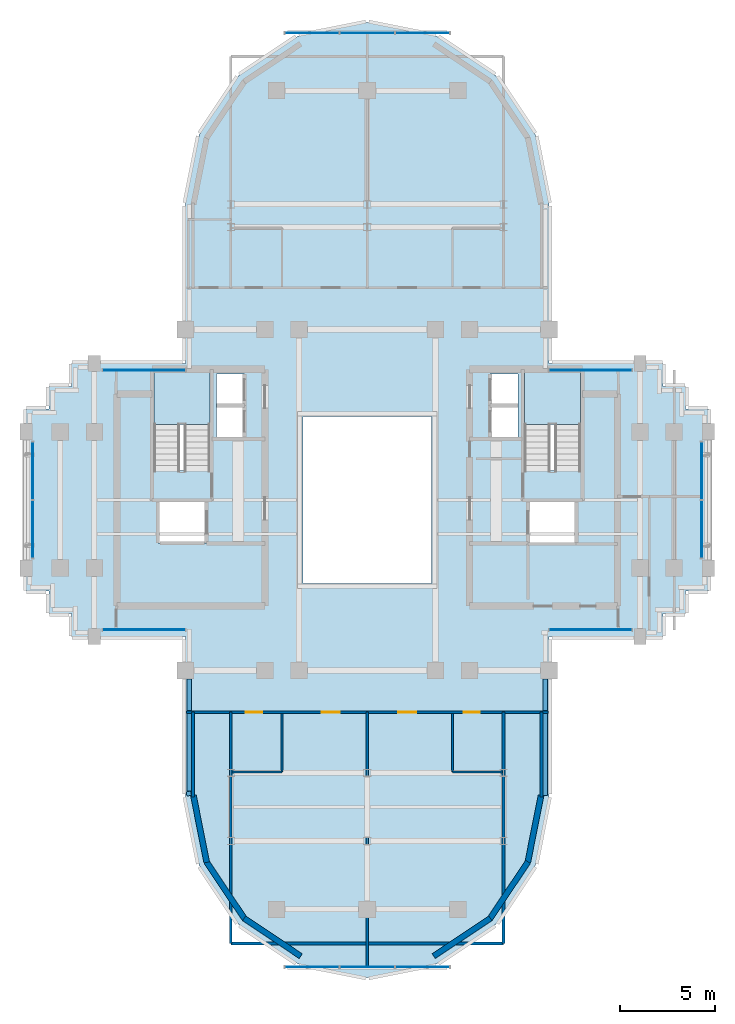
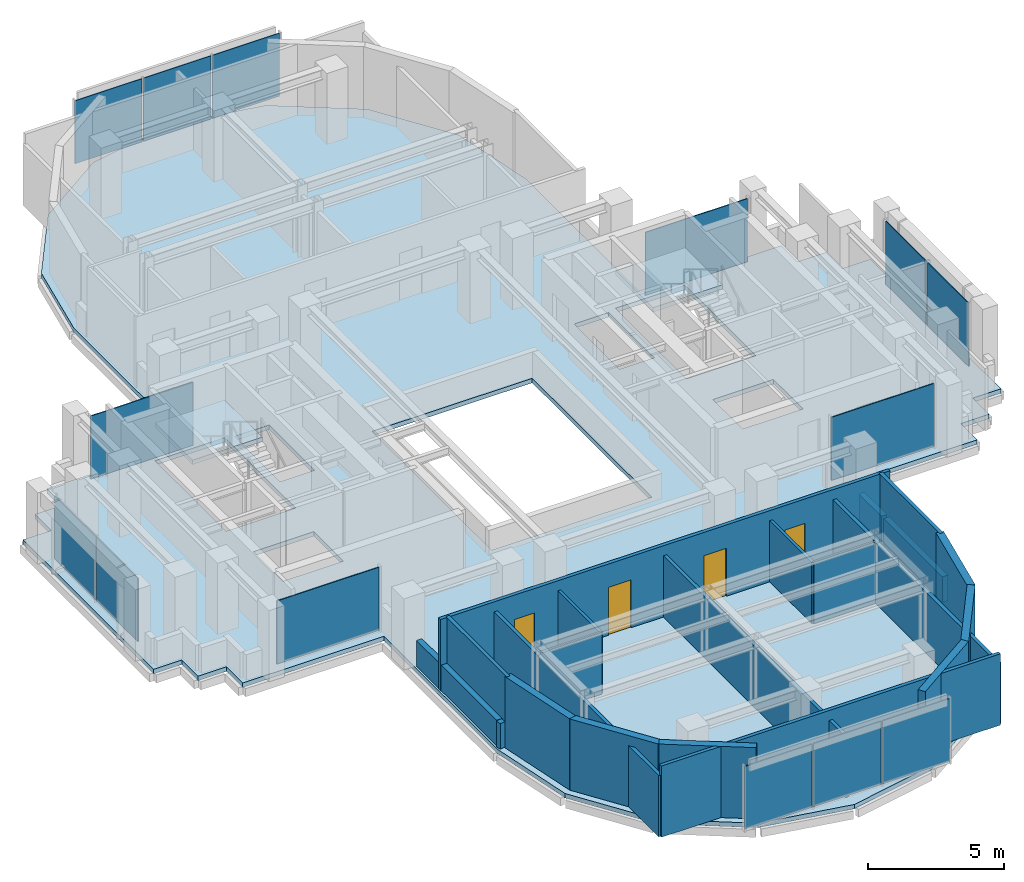
# One storey, part 5 of 11: 22 walls, 14 plates, 4 doors, 3 slabs, 4 openings, 10 elements without a shape of their own.
"""IFC4 building model written with IfcOpenShell, lengths in metres."""

from ifc_helpers import new_model, si_unit, direction, frame, frame_2d, origin, origin_2d, place, context, subcontext, project, spatial, polyline, rectangle, outline, extrude, source, transform, mapped, material, layer, layer_set, type_object, element, fill, aggregate, save


model = new_model("IFC4")

# Units and contexts
model_context = context("Model", 3, precision=1e-05, world=origin(), true_north=direction((0.0, 1.0)))
body_context = subcontext(model_context, "Body", "Model", "MODEL_VIEW")
ifc_project = project(units=[si_unit("LENGTHUNIT", "METRE"), si_unit("AREAUNIT", "SQUARE_METRE"), si_unit("VOLUMEUNIT", "CUBIC_METRE"), si_unit("PLANEANGLEUNIT", "RADIAN"), si_unit("MASSUNIT", "GRAM", prefix="KILO")], contexts=[model_context])

# Site, building, storey
site_placement = place(None, origin())
site = spatial("IfcSite", under=ifc_project, at=site_placement, CompositionType="ELEMENT")
building_placement = place(site_placement, origin())
building = spatial("IfcBuilding", under=site, at=building_placement, Name="Keilestroom Media Tower", CompositionType="ELEMENT")
storey_placement = place(building_placement, frame((0.0, 0.0, 197.800048828125)))
storey = spatial("IfcBuildingStorey", under=building, at=storey_placement, Name="L54", CompositionType="ELEMENT", Elevation=197.800048828125)

# Slab
ifc_material_1 = material(Name="Concrete C50/60", Category="concrete")
ifc_layer_1 = layer(ifc_material_1, 0.199951171875)
ifc_layer_set_1 = layer_set([ifc_layer_1], Name="Concrete C50/60")
slab_type_1 = type_object("IfcSlabType", Name="Composite-Floor-Slab-200", PredefinedType="FLOOR", material=ifc_layer_set_1)
slab_1_placement = place(storey_placement, frame((0.0, 0.0, -0.199951171875)))
element("IfcSlab", 1, at=slab_1_placement, inside=storey, type_object=slab_type_1, Name="L54 Structural Composite Floor Slab", PredefinedType="FLOOR", context=body_context, shape_type="SweptSolid", body=[
    extrude(outline(polyline([(18.0, -4.800048828125), (18.0, 4.800048828125), (16.800048828125, 4.800048828125), (16.800048828125, 6.0), (15.60009765625, 6.0), (15.60009765625, 7.199951171875), (9.60009765625, 7.199951171875), (9.60009765625, 9.60009765625), (9.60009765625, 15.60009765625), (8.869140625, 19.273681640625), (6.7880859375, 22.38818359375), (3.673828125, 24.46923828125), (0.0, 25.199951171875), (-3.673828125, 24.46923828125), (-6.7880859375, 22.38818359375), (-8.869140625, 19.273681640625), (-9.60009765625, 15.60009765625), (-9.60009765625, 9.60009765625), (-9.60009765625, 7.199951171875), (-15.60009765625, 7.199951171875), (-15.60009765625, 6.0), (-16.800048828125, 6.0), (-16.800048828125, 4.800048828125), (-18.0, 4.800048828125), (-18.0, -4.800048828125), (-16.800048828125, -4.800048828125), (-16.800048828125, -6.0), (-15.60009765625, -6.0), (-15.60009765625, -7.199951171875), (-9.60009765625, -7.199951171875), (-9.60009765625, -9.60009765625), (-9.60009765625, -15.60009765625), (-8.869140625, -19.273681640625), (-6.7880859375, -22.38818359375), (-3.673828125, -24.46923828125), (0.0, -25.199951171875), (3.673828125, -24.46923828125), (6.7880859375, -22.38818359375), (8.869140625, -19.273681640625), (9.60009765625, -15.60009765625), (9.60009765625, -9.60009765625), (9.60009765625, -7.199951171875), (15.60009765625, -7.199951171875), (15.60009765625, -6.0), (16.800048828125, -6.0), (16.800048828125, -4.800048828125), (18.0, -4.800048828125)]), holes=[polyline([(-8.300048828125, 1.544921875), (-11.260009765625, 1.544921875), (-11.260009765625, 6.760009765625), (-8.300048828125, 6.760009765625), (-8.300048828125, 1.544921875)]), polyline([(-8.47998046875, -2.280029296875), (-11.050048828125, -2.280029296875), (-11.050048828125, -0.10009765625), (-8.47998046875, -0.10009765625), (-8.47998046875, -2.280029296875)]), polyline([(-6.47998046875, 3.300048828125), (-7.949951171875, 3.300048828125), (-7.949951171875, 6.64990234375), (-6.47998046875, 6.64990234375), (-6.47998046875, 3.300048828125)]), polyline([(3.39990234375, -4.39990234375), (-3.39990234375, -4.39990234375), (-3.39990234375, 4.39990234375), (3.39990234375, 4.39990234375), (3.39990234375, -4.39990234375)]), polyline([(7.949951171875, 3.300048828125), (6.47998046875, 3.300048828125), (6.47998046875, 6.64990234375), (7.949951171875, 6.64990234375), (7.949951171875, 3.300048828125)]), polyline([(11.260009765625, 1.544921875), (8.300048828125, 1.544921875), (8.300048828125, 6.760009765625), (11.260009765625, 6.760009765625), (11.260009765625, 1.544921875)]), polyline([(11.050048828125, -2.280029296875), (8.47998046875, -2.280029296875), (8.47998046875, -0.10009765625), (11.050048828125, -0.10009765625), (11.050048828125, -2.280029296875)])]), origin(), (0.0, 0.0, 1.0), 0.199951171875),
])

# Stair, slab
ifc_material_2 = material(Name="Concrete C45/55", Category="concrete")
stair_type = type_object("IfcStairType", Name="Enclosed-Dog-Leg-Stair-ST-CORE", PredefinedType="HALF_TURN_STAIR", material=ifc_material_2)
stair_1_placement = place(storey_placement, origin())
stair_1 = element("IfcStair", 2, at=stair_1_placement, inside=storey, type_object=stair_type, Name="L54 West Core Escape Stair ST-1", PredefinedType="HALF_TURN_STAIR")
ifc_layer_2 = layer(ifc_material_2, 0.199951171875)
ifc_layer_set_2 = layer_set([ifc_layer_2], Name="Concrete C45/55")
slab_type_2 = type_object("IfcSlabType", Name="Stair-Intermediate-And-Top-Landing-Slab-200", PredefinedType="LANDING", material=ifc_layer_set_2)
slab_2_placement = place(storey_placement, frame((0.0, 0.0, 1.5)))
slab_2 = element("IfcSlab", 3, at=slab_2_placement, type_object=slab_type_2, Name="ST-1 landing 1", PredefinedType="LANDING", context=body_context, shape_type="SweptSolid", body=[
    extrude(outline(polyline([(-8.300048828125, 3.99609375), (-8.300048828125, 6.760009765625), (-11.260009765625, 6.760009765625), (-11.260009765625, 3.99609375), (-8.300048828125, 3.99609375)])), origin(), (0.0, 0.0, 1.0), 0.199951171875),
])
aggregate(stair_1, [slab_2])

stair_2_placement = place(storey_placement, origin())
stair_2 = element("IfcStair", 4, at=stair_2_placement, inside=storey, type_object=stair_type, Name="L54 East Core Escape Stair ST-2", PredefinedType="HALF_TURN_STAIR")
slab_3_placement = place(storey_placement, frame((0.0, 0.0, 1.5)))
slab_3 = element("IfcSlab", 5, at=slab_3_placement, type_object=slab_type_2, Name="ST-2 landing 1", PredefinedType="LANDING", context=body_context, shape_type="SweptSolid", body=[
    extrude(outline(polyline([(11.260009765625, 3.99609375), (11.260009765625, 6.760009765625), (8.300048828125, 6.760009765625), (8.300048828125, 3.99609375), (11.260009765625, 3.99609375)])), origin(), (0.0, 0.0, 1.0), 0.199951171875),
])
aggregate(stair_2, [slab_3])

# Curtain wall, plates
ifc_material_3 = material(Name="Anodised Aluminium Alloy", Category="aluminium")
curtain_wall_type_1 = type_object("IfcCurtainWallType", Name="Unitised-Curtain-Wall-CW-6", PredefinedType="NOTDEFINED", material=ifc_material_3)
curtain_wall_1_placement = place(storey_placement, origin())
curtain_wall_1 = element("IfcCurtainWall", 6, at=curtain_wall_1_placement, inside=storey, type_object=curtain_wall_type_1, Name="L54 Curtain Wall CW-6 CW-L54-LN-1", PredefinedType="NOTDEFINED")
ifc_material_4 = material(Name="Curved-Facet Triple Glazed Unit", Category="glass")
ifc_layer_3 = layer(ifc_material_4, 0.033935546875)
ifc_layer_set_3 = layer_set([ifc_layer_3], Name="Curved-Facet Triple Glazed Unit")
plate_type_1 = type_object("IfcPlateType", Name="Insulated-Curtain-Wall-Glazing-Panel-CW-6", PredefinedType="CURTAIN_PANEL", material=ifc_layer_set_3)
shared_shape_1 = source(origin(), body_context, "Body", "SweptSolid", [
    extrude(rectangle(XDim=2.84375, YDim=0.033935546875, at=origin_2d()), origin(), (0.0, 0.0, 1.0), 2.833984375),
])
plate_1_placement = place(storey_placement, frame((-2.9169921875, 24.64990234375, 0.072998046875), z_axis=(0.0, 0.0, 1.0), x_axis=(1.0, 0.0, 0.0)))
plate_1 = element("IfcPlate", 7, at=plate_1_placement, type_object=plate_type_1, Name="CW-6 Unitised Glazing 00", PredefinedType="CURTAIN_PANEL", context=body_context, shape_type="MappedRepresentation", body=[
    mapped(shared_shape_1, transform((0.0, 0.0, 0.0), x_axis=(1.0, 0.0, 0.0), y_axis=(0.0, 1.0, 0.0), z_axis=(0.0, 0.0, 1.0), scale=1.0)),
])
plate_2_placement = place(storey_placement, frame((2.9169921875, 24.64990234375, 0.072998046875), z_axis=(0.0, 0.0, 1.0), x_axis=(1.0, 0.0, 0.0)))
plate_2 = element("IfcPlate", 8, at=plate_2_placement, type_object=plate_type_1, Name="CW-6 Unitised Glazing 02", PredefinedType="CURTAIN_PANEL", context=body_context, shape_type="MappedRepresentation", body=[
    mapped(shared_shape_1, transform((0.0, 0.0, 0.0), x_axis=(1.0, 0.0, 0.0), y_axis=(0.0, 1.0, 0.0), z_axis=(0.0, 0.0, 1.0), scale=1.0)),
])

curtain_wall_2_placement = place(storey_placement, origin())
curtain_wall_2 = element("IfcCurtainWall", 9, at=curtain_wall_2_placement, inside=storey, type_object=curtain_wall_type_1, Name="L54 Curtain Wall CW-6 CW-L54-LS-1", PredefinedType="NOTDEFINED")
plate_3_placement = place(storey_placement, frame((-2.9169921875, -24.64990234375, 0.072998046875), z_axis=(0.0, 0.0, 1.0), x_axis=(1.0, 0.0, 0.0)))
plate_3 = element("IfcPlate", 10, at=plate_3_placement, type_object=plate_type_1, Name="CW-6 Unitised Glazing 00", PredefinedType="CURTAIN_PANEL", context=body_context, shape_type="MappedRepresentation", body=[
    mapped(shared_shape_1, transform((0.0, 0.0, 0.0), x_axis=(1.0, 0.0, 0.0), y_axis=(0.0, 1.0, 0.0), z_axis=(0.0, 0.0, 1.0), scale=1.0)),
])
plate_4_placement = place(storey_placement, frame((2.9169921875, -24.64990234375, 0.072998046875), z_axis=(0.0, 0.0, 1.0), x_axis=(1.0, 0.0, 0.0)))
plate_4 = element("IfcPlate", 11, at=plate_4_placement, type_object=plate_type_1, Name="CW-6 Unitised Glazing 02", PredefinedType="CURTAIN_PANEL", context=body_context, shape_type="MappedRepresentation", body=[
    mapped(shared_shape_1, transform((0.0, 0.0, 0.0), x_axis=(1.0, 0.0, 0.0), y_axis=(0.0, 1.0, 0.0), z_axis=(0.0, 0.0, 1.0), scale=1.0)),
])

# Plate
shared_shape_2 = source(origin(), body_context, "Body", "SweptSolid", [
    extrude(rectangle(XDim=2.876220703125, YDim=0.033935546875, at=origin_2d()), origin(), (0.0, 0.0, 1.0), 2.833984375),
])
plate_5_placement = place(storey_placement, frame((0.0, 24.64990234375, 0.072998046875), z_axis=(0.0, 0.0, 1.0), x_axis=(1.0, 0.0, 0.0)))
plate_5 = element("IfcPlate", 12, at=plate_5_placement, type_object=plate_type_1, Name="CW-6 Unitised Glazing 01", PredefinedType="CURTAIN_PANEL", context=body_context, shape_type="MappedRepresentation", body=[
    mapped(shared_shape_2, transform((0.0, 0.0, 0.0), x_axis=(1.0, 0.0, 0.0), y_axis=(0.0, 1.0, 0.0), z_axis=(0.0, 0.0, 1.0), scale=1.0)),
])

aggregate(curtain_wall_1, [plate_1, plate_5, plate_2])

plate_6_placement = place(storey_placement, frame((0.0, -24.64990234375, 0.072998046875), z_axis=(0.0, 0.0, 1.0), x_axis=(1.0, 0.0, 0.0)))
plate_6 = element("IfcPlate", 13, at=plate_6_placement, type_object=plate_type_1, Name="CW-6 Unitised Glazing 01", PredefinedType="CURTAIN_PANEL", context=body_context, shape_type="MappedRepresentation", body=[
    mapped(shared_shape_2, transform((0.0, 0.0, 0.0), x_axis=(1.0, 0.0, 0.0), y_axis=(0.0, 1.0, 0.0), z_axis=(0.0, 0.0, 1.0), scale=1.0)),
])

aggregate(curtain_wall_2, [plate_3, plate_6, plate_4])

# Curtain wall, plate
curtain_wall_type_2 = type_object("IfcCurtainWallType", Name="Unitised-Curtain-Wall-CW-3", PredefinedType="NOTDEFINED", material=ifc_material_3)
curtain_wall_3_placement = place(storey_placement, origin())
curtain_wall_3 = element("IfcCurtainWall", 14, at=curtain_wall_3_placement, inside=storey, type_object=curtain_wall_type_2, Name="L54 Curtain Wall CW-3 CW-L54-NW-1", PredefinedType="NOTDEFINED")
ifc_material_5 = material(Name="Triple Glazed Acoustic Low-E Unit", Category="glass")
ifc_layer_4 = layer(ifc_material_5, 0.0380859375)
ifc_layer_set_4 = layer_set([ifc_layer_4], Name="Triple Glazed Acoustic Low-E Unit")
plate_type_2 = type_object("IfcPlateType", Name="Insulated-Curtain-Wall-Glazing-Panel-CW-3", PredefinedType="CURTAIN_PANEL", material=ifc_layer_set_4)
shared_shape_3 = source(origin(), body_context, "Body", "SweptSolid", [
    extrude(rectangle(XDim=4.343017578125, YDim=0.0380859375, at=origin_2d()), origin(), (0.0, 0.0, 1.0), 2.833984375),
])
plate_7_placement = place(storey_placement, frame((-11.782470703125, 6.85009765625, 0.072998046875), z_axis=(0.0, 0.0, 1.0), x_axis=(1.0, 0.0, 0.0)))
plate_7 = element("IfcPlate", 15, at=plate_7_placement, type_object=plate_type_2, Name="CW-3 Unitised Glazing 00", PredefinedType="CURTAIN_PANEL", context=body_context, shape_type="MappedRepresentation", body=[
    mapped(shared_shape_3, transform((0.0, 0.0, 0.0), x_axis=(1.0, 0.0, 0.0), y_axis=(0.0, 1.0, 0.0), z_axis=(0.0, 0.0, 1.0), scale=1.0)),
])
aggregate(curtain_wall_3, [plate_7])

curtain_wall_4_placement = place(storey_placement, origin())
curtain_wall_4 = element("IfcCurtainWall", 16, at=curtain_wall_4_placement, inside=storey, type_object=curtain_wall_type_2, Name="L54 Curtain Wall CW-3 CW-L54-NE-1", PredefinedType="NOTDEFINED")
plate_8_placement = place(storey_placement, frame((11.782470703125, 6.85009765625, 0.072998046875), z_axis=(0.0, 0.0, 1.0), x_axis=(1.0, 0.0, 0.0)))
plate_8 = element("IfcPlate", 17, at=plate_8_placement, type_object=plate_type_2, Name="CW-3 Unitised Glazing 00", PredefinedType="CURTAIN_PANEL", context=body_context, shape_type="MappedRepresentation", body=[
    mapped(shared_shape_3, transform((0.0, 0.0, 0.0), x_axis=(1.0, 0.0, 0.0), y_axis=(0.0, 1.0, 0.0), z_axis=(0.0, 0.0, 1.0), scale=1.0)),
])
aggregate(curtain_wall_4, [plate_8])

curtain_wall_5_placement = place(storey_placement, origin())
curtain_wall_5 = element("IfcCurtainWall", 18, at=curtain_wall_5_placement, inside=storey, type_object=curtain_wall_type_2, Name="L54 Curtain Wall CW-3 CW-L54-SW-1", PredefinedType="NOTDEFINED")
plate_9_placement = place(storey_placement, frame((-11.782470703125, -6.85009765625, 0.072998046875), z_axis=(0.0, 0.0, 1.0), x_axis=(1.0, 0.0, 0.0)))
plate_9 = element("IfcPlate", 19, at=plate_9_placement, type_object=plate_type_2, Name="CW-3 Unitised Glazing 00", PredefinedType="CURTAIN_PANEL", context=body_context, shape_type="MappedRepresentation", body=[
    mapped(shared_shape_3, transform((0.0, 0.0, 0.0), x_axis=(1.0, 0.0, 0.0), y_axis=(0.0, 1.0, 0.0), z_axis=(0.0, 0.0, 1.0), scale=1.0)),
])
aggregate(curtain_wall_5, [plate_9])

curtain_wall_6_placement = place(storey_placement, origin())
curtain_wall_6 = element("IfcCurtainWall", 20, at=curtain_wall_6_placement, inside=storey, type_object=curtain_wall_type_2, Name="L54 Curtain Wall CW-3 CW-L54-SE-1", PredefinedType="NOTDEFINED")
plate_10_placement = place(storey_placement, frame((11.782470703125, -6.85009765625, 0.072998046875), z_axis=(0.0, 0.0, 1.0), x_axis=(1.0, 0.0, 0.0)))
plate_10 = element("IfcPlate", 21, at=plate_10_placement, type_object=plate_type_2, Name="CW-3 Unitised Glazing 00", PredefinedType="CURTAIN_PANEL", context=body_context, shape_type="MappedRepresentation", body=[
    mapped(shared_shape_3, transform((0.0, 0.0, 0.0), x_axis=(1.0, 0.0, 0.0), y_axis=(0.0, 1.0, 0.0), z_axis=(0.0, 0.0, 1.0), scale=1.0)),
])
aggregate(curtain_wall_6, [plate_10])

# Curtain wall, plates
curtain_wall_7_placement = place(storey_placement, origin())
curtain_wall_7 = element("IfcCurtainWall", 22, at=curtain_wall_7_placement, inside=storey, type_object=curtain_wall_type_2, Name="L54 Curtain Wall CW-3 CW-L54-W-1", PredefinedType="NOTDEFINED")
shared_shape_4 = source(origin(), body_context, "Body", "SweptSolid", [
    extrude(rectangle(XDim=3.025390625, YDim=0.0380859375, at=origin_2d()), origin(), (0.0, 0.0, 1.0), 2.833984375),
])
plate_11_placement = place(storey_placement, frame((-17.64990234375, -1.541259765625, 0.072998046875), z_axis=(0.0, 0.0, 1.0), x_axis=(0.0, 1.0, 0.0)))
plate_11 = element("IfcPlate", 23, at=plate_11_placement, type_object=plate_type_2, Name="CW-3 Unitised Glazing 00", PredefinedType="CURTAIN_PANEL", context=body_context, shape_type="MappedRepresentation", body=[
    mapped(shared_shape_4, transform((0.0, 0.0, 0.0), x_axis=(1.0, 0.0, 0.0), y_axis=(0.0, 1.0, 0.0), z_axis=(0.0, 0.0, 1.0), scale=1.0)),
])
plate_12_placement = place(storey_placement, frame((-17.64990234375, 1.541259765625, 0.072998046875), z_axis=(0.0, 0.0, 1.0), x_axis=(0.0, 1.0, 0.0)))
plate_12 = element("IfcPlate", 24, at=plate_12_placement, type_object=plate_type_2, Name="CW-3 Unitised Glazing 01", PredefinedType="CURTAIN_PANEL", context=body_context, shape_type="MappedRepresentation", body=[
    mapped(shared_shape_4, transform((0.0, 0.0, 0.0), x_axis=(1.0, 0.0, 0.0), y_axis=(0.0, 1.0, 0.0), z_axis=(0.0, 0.0, 1.0), scale=1.0)),
])
aggregate(curtain_wall_7, [plate_11, plate_12])

curtain_wall_8_placement = place(storey_placement, origin())
curtain_wall_8 = element("IfcCurtainWall", 25, at=curtain_wall_8_placement, inside=storey, type_object=curtain_wall_type_2, Name="L54 Curtain Wall CW-3 CW-L54-E-1", PredefinedType="NOTDEFINED")
plate_13_placement = place(storey_placement, frame((17.64990234375, -1.541259765625, 0.072998046875), z_axis=(0.0, 0.0, 1.0), x_axis=(0.0, 1.0, 0.0)))
plate_13 = element("IfcPlate", 26, at=plate_13_placement, type_object=plate_type_2, Name="CW-3 Unitised Glazing 00", PredefinedType="CURTAIN_PANEL", context=body_context, shape_type="MappedRepresentation", body=[
    mapped(shared_shape_4, transform((0.0, 0.0, 0.0), x_axis=(1.0, 0.0, 0.0), y_axis=(0.0, 1.0, 0.0), z_axis=(0.0, 0.0, 1.0), scale=1.0)),
])
plate_14_placement = place(storey_placement, frame((17.64990234375, 1.541259765625, 0.072998046875), z_axis=(0.0, 0.0, 1.0), x_axis=(0.0, 1.0, 0.0)))
plate_14 = element("IfcPlate", 27, at=plate_14_placement, type_object=plate_type_2, Name="CW-3 Unitised Glazing 01", PredefinedType="CURTAIN_PANEL", context=body_context, shape_type="MappedRepresentation", body=[
    mapped(shared_shape_4, transform((0.0, 0.0, 0.0), x_axis=(1.0, 0.0, 0.0), y_axis=(0.0, 1.0, 0.0), z_axis=(0.0, 0.0, 1.0), scale=1.0)),
])
aggregate(curtain_wall_8, [plate_13, plate_14])

# Walls
ifc_material_6 = material(Name="Precast concrete C40/50", Category="concrete")
ifc_layer_5 = layer(ifc_material_6, 0.300048828125)
ifc_layer_set_5 = layer_set([ifc_layer_5], Name="Precast concrete C40/50")
wall_type_1 = type_object("IfcWallType", Name="Exterior-Masonry-Spandrel-Wall-300", PredefinedType="SOLIDWALL", material=ifc_layer_set_5)
for number, where, z_axis, x_axis, name in (
    (28, (-9.1748046875, -15.585205078125, 0.0), (0.0, 0.0, 1.0), (0.195114232679, -0.980780523974, 0.0), "L54 Lobe Facet Precast Frame Wall 07"),
    (29, (-8.48193359375, -19.097412109375, 0.0), (0.0, 0.0, 1.0), (0.555574187116, -0.831466970246, 0.0), "L54 Lobe Facet Precast Frame Wall 08"),
):
    element("IfcWall", number, at=place(storey_placement, frame(where, z_axis=z_axis, x_axis=x_axis)), inside=storey, type_object=wall_type_1, Name=name, PredefinedType="SOLIDWALL", context=body_context, shape_type="SweptSolid", body=[
        extrude(rectangle(XDim=3.608642578125, YDim=0.300048828125, at=frame_2d((1.80419921875, 0.0))), origin(), (0.0, 0.0, 1.0), 3.199951171875),
    ])
for number, where, z_axis, x_axis, name in (
    (30, (-6.497802734375, -22.0771484375, 0.0), (0.0, 0.0, 1.0), (0.8314749531, -0.555562239868, 0.0), "L54 Lobe Facet Precast Frame Wall 09"),
    (31, (3.510009765625, -24.073486328125, 0.0), (0.0, 0.0, 1.0), (0.8314749531, 0.555562239868, 0.0), "L54 Lobe Facet Precast Frame Wall 10"),
):
    element("IfcWall", number, at=place(storey_placement, frame(where, z_axis=z_axis, x_axis=x_axis)), inside=storey, type_object=wall_type_1, Name=name, PredefinedType="SOLIDWALL", context=body_context, shape_type="SweptSolid", body=[
        extrude(rectangle(XDim=3.59326171875, YDim=0.300048828125, at=frame_2d((1.796630859375, 0.0))), origin(), (0.0, 0.0, 1.0), 3.199951171875),
    ])
for number, where, z_axis, x_axis, name in (
    (32, (6.47705078125, -22.097900390625, 0.0), (0.0, 0.0, 1.0), (0.555574187116, 0.831466970246, 0.0), "L54 Lobe Facet Precast Frame Wall 11"),
    (33, (8.470703125, -19.12451171875, 0.0), (0.0, 0.0, 1.0), (0.195114232679, 0.980780523974, 0.0), "L54 Lobe Facet Precast Frame Wall 12"),
):
    element("IfcWall", number, at=place(storey_placement, frame(where, z_axis=z_axis, x_axis=x_axis)), inside=storey, type_object=wall_type_1, Name=name, PredefinedType="SOLIDWALL", context=body_context, shape_type="SweptSolid", body=[
        extrude(rectangle(XDim=3.608642578125, YDim=0.300048828125, at=frame_2d((1.80419921875, 0.0))), origin(), (0.0, 0.0, 1.0), 3.199951171875),
    ])
ifc_material_7 = material(Name="Gypsum Plasterboard & Steel Stud", Category="steel")
ifc_layer_6 = layer(ifc_material_7, 0.1201171875)
ifc_layer_set_6 = layer_set([ifc_layer_6], Name="Gypsum Plasterboard & Steel Stud")
wall_type_2 = type_object("IfcWallType", Name="Interior-Partition-Wall-120", PredefinedType="PARTITIONING", material=ifc_layer_set_6)
wall_1_placement = place(storey_placement, frame((-4.5, -14.360107421875, 0.0), z_axis=(0.0, 0.0, 1.0), x_axis=(0.0, 1.0, 0.0)))
element("IfcWall", 34, at=wall_1_placement, inside=storey, type_object=wall_type_2, Name="L54 Interior Wall WP-L54-ENS307W-SWP", PredefinedType="PARTITIONING", context=body_context, shape_type="SweptSolid", body=[
    extrude(rectangle(XDim=3.10009765625, YDim=0.1201171875, at=frame_2d((1.550048828125, 0.0))), origin(), (0.0, 0.0, 1.0), 2.75),
])
wall_2_placement = place(storey_placement, frame((-7.139892578125, -14.360107421875, 0.0), z_axis=(0.0, 0.0, 1.0), x_axis=(1.0, 0.0, 0.0)))
element("IfcWall", 35, at=wall_2_placement, inside=storey, type_object=wall_type_2, Name="L54 Interior Wall WP-L54-ENS307H-SWP", PredefinedType="PARTITIONING", context=body_context, shape_type="SweptSolid", body=[
    extrude(rectangle(XDim=2.639892578125, YDim=0.1201171875, at=frame_2d((1.31982421875, 0.0))), origin(), (0.0, 0.0, 1.0), 2.75),
])
wall_3_placement = place(storey_placement, frame((4.5, -14.360107421875, 0.0), z_axis=(0.0, 0.0, 1.0), x_axis=(0.0, 1.0, 0.0)))
element("IfcWall", 36, at=wall_3_placement, inside=storey, type_object=wall_type_2, Name="L54 Interior Wall WP-L54-ENS307W-SEP", PredefinedType="PARTITIONING", context=body_context, shape_type="SweptSolid", body=[
    extrude(rectangle(XDim=3.10009765625, YDim=0.1201171875, at=frame_2d((1.550048828125, 0.0))), origin(), (0.0, 0.0, 1.0), 2.75),
])
wall_4_placement = place(storey_placement, frame((4.5, -14.360107421875, 0.0), z_axis=(0.0, 0.0, 1.0), x_axis=(1.0, 0.0, 0.0)))
element("IfcWall", 37, at=wall_4_placement, inside=storey, type_object=wall_type_2, Name="L54 Interior Wall WP-L54-ENS307H-SEP", PredefinedType="PARTITIONING", context=body_context, shape_type="SweptSolid", body=[
    extrude(rectangle(XDim=2.639892578125, YDim=0.1201171875, at=frame_2d((1.31982421875, 0.0))), origin(), (0.0, 0.0, 1.0), 2.75),
])

# Wall, openings, doors
ifc_layer_7 = layer(ifc_material_7, 0.14990234375)
ifc_layer_set_7 = layer_set([ifc_layer_7], Name="Gypsum Plasterboard & Steel Stud")
wall_type_3 = type_object("IfcWallType", Name="Interior-Partition-Wall-150", PredefinedType="PARTITIONING", material=ifc_layer_set_7)
wall_5_placement = place(storey_placement, frame((-9.550048828125, -11.199951171875, 0.0), z_axis=(0.0, 0.0, 1.0), x_axis=(1.0, 0.0, 0.0)))
wall_5 = element("IfcWall", 38, at=wall_5_placement, inside=storey, type_object=wall_type_3, Name="L54 Interior Wall WP-L54-H307-S-BASE", PredefinedType="PARTITIONING", context=body_context, shape_type="SweptSolid", body=[
    extrude(rectangle(XDim=19.10009765625, YDim=0.14990234375, at=frame_2d((9.550048828125, 0.0))), origin(), (0.0, 0.0, 1.0), 3.199951171875),
])
opening_1_placement = place(wall_5_placement, frame((3.14990234375, 0.0, 0.0)))
opening_1 = element("IfcOpeningElement", 39, at=opening_1_placement, cuts=wall_5, Name="Opening DI-05", PredefinedType="OPENING", context=body_context, shape_type="SweptSolid", body=[
    extrude(rectangle(XDim=0.85009765625, YDim=2.10009765625, at=frame_2d((0.425048828125, 1.050048828125))), frame((0.0, 0.0849609375, 0.0), z_axis=(0.0, -1.0, 0.0), x_axis=(1.0, 0.0, 0.0)), (0.0, 0.0, 1.0), 0.169921875),
])
opening_2_placement = place(wall_5_placement, frame((7.14990234375, 0.0, 0.0)))
opening_2 = element("IfcOpeningElement", 40, at=opening_2_placement, cuts=wall_5, Name="Opening DI-03", PredefinedType="OPENING", context=body_context, shape_type="SweptSolid", body=[
    extrude(rectangle(XDim=0.949951171875, YDim=2.14990234375, at=frame_2d((0.47509765625, 1.074951171875))), frame((0.0, 0.0849609375, 0.0), z_axis=(0.0, -1.0, 0.0), x_axis=(1.0, 0.0, 0.0)), (0.0, 0.0, 1.0), 0.169921875),
])
opening_3_placement = place(wall_5_placement, frame((14.64990234375, 0.0, 0.0)))
opening_3 = element("IfcOpeningElement", 41, at=opening_3_placement, cuts=wall_5, Name="Opening DI-05", PredefinedType="OPENING", context=body_context, shape_type="SweptSolid", body=[
    extrude(rectangle(XDim=0.85009765625, YDim=2.10009765625, at=frame_2d((0.425048828125, 1.050048828125))), frame((0.0, 0.0849609375, 0.0), z_axis=(0.0, -1.0, 0.0), x_axis=(1.0, 0.0, 0.0)), (0.0, 0.0, 1.0), 0.169921875),
])
opening_4_placement = place(wall_5_placement, frame((11.199951171875, 0.0, 0.0)))
opening_4 = element("IfcOpeningElement", 42, at=opening_4_placement, cuts=wall_5, Name="Opening DI-03", PredefinedType="OPENING", context=body_context, shape_type="SweptSolid", body=[
    extrude(rectangle(XDim=0.949951171875, YDim=2.14990234375, at=frame_2d((0.47509765625, 1.074951171875))), frame((0.0, 0.0849609375, 0.0), z_axis=(0.0, -1.0, 0.0), x_axis=(1.0, 0.0, 0.0)), (0.0, 0.0, 1.0), 0.169921875),
])
ifc_material_8 = material(Name="Lacquered European Oak Leaf", Category="wood")
door_type_1 = type_object("IfcDoorType", Name="Interior-Room-And-Suite-Door-DI-03", OperationType="NOTDEFINED", PredefinedType="DOOR", material=ifc_material_8)
shared_shape_5 = source(origin(), body_context, "Body", "SweptSolid", [
    extrude(rectangle(XDim=0.949951171875, YDim=2.14990234375, at=frame_2d((0.47509765625, 1.074951171875))), frame((0.0, 0.02490234375, 0.0), z_axis=(0.0, -1.0, 0.0), x_axis=(1.0, 0.0, 0.0)), (0.0, 0.0, 1.0), 0.050048828125),
])
door_1_placement = place(opening_2_placement, origin())
door_1 = element("IfcDoor", 43, at=door_1_placement, inside=storey, type_object=door_type_1, Name="L54 Interior Door DI-L54-DHTL307-SWP", OperationType="SINGLE_SWING_LEFT", OverallHeight=2.14990234375, OverallWidth=0.949951171875, PredefinedType="DOOR", context=body_context, shape_type="MappedRepresentation", body=[
    mapped(shared_shape_5, transform((0.0, 0.0, 0.0), x_axis=(1.0, 0.0, 0.0), y_axis=(0.0, 1.0, 0.0), z_axis=(0.0, 0.0, 1.0), scale=1.0)),
])
fill(opening_2, door_1)
door_2_placement = place(opening_4_placement, origin())
door_2 = element("IfcDoor", 44, at=door_2_placement, inside=storey, type_object=door_type_1, Name="L54 Interior Door DI-L54-DHTL307-SEP", OperationType="SINGLE_SWING_LEFT", OverallHeight=2.14990234375, OverallWidth=0.949951171875, PredefinedType="DOOR", context=body_context, shape_type="MappedRepresentation", body=[
    mapped(shared_shape_5, transform((0.0, 0.0, 0.0), x_axis=(1.0, 0.0, 0.0), y_axis=(0.0, 1.0, 0.0), z_axis=(0.0, 0.0, 1.0), scale=1.0)),
])
fill(opening_4, door_2)
ifc_material_9 = material(Name="Moisture-Resistant Oak Leaf", Category="wood")
door_type_2 = type_object("IfcDoorType", Name="Interior-En-Suite-And-Cupboard-Door-DI-05", OperationType="NOTDEFINED", PredefinedType="DOOR", material=ifc_material_9)
shared_shape_6 = source(origin(), body_context, "Body", "SweptSolid", [
    extrude(rectangle(XDim=0.85009765625, YDim=2.10009765625, at=frame_2d((0.425048828125, 1.050048828125))), frame((0.0, 0.02490234375, 0.0), z_axis=(0.0, -1.0, 0.0), x_axis=(1.0, 0.0, 0.0)), (0.0, 0.0, 1.0), 0.050048828125),
])
door_3_placement = place(opening_1_placement, origin())
door_3 = element("IfcDoor", 45, at=door_3_placement, inside=storey, type_object=door_type_2, Name="L54 Interior Door DI-L54-DENS307-SWP", OperationType="SINGLE_SWING_RIGHT", OverallHeight=2.10009765625, OverallWidth=0.85009765625, PredefinedType="DOOR", context=body_context, shape_type="MappedRepresentation", body=[
    mapped(shared_shape_6, transform((0.0, 0.0, 0.0), x_axis=(1.0, 0.0, 0.0), y_axis=(0.0, 1.0, 0.0), z_axis=(0.0, 0.0, 1.0), scale=1.0)),
])
fill(opening_1, door_3)
door_4_placement = place(opening_3_placement, origin())
door_4 = element("IfcDoor", 46, at=door_4_placement, inside=storey, type_object=door_type_2, Name="L54 Interior Door DI-L54-DENS307-SEP", OperationType="SINGLE_SWING_RIGHT", OverallHeight=2.10009765625, OverallWidth=0.85009765625, PredefinedType="DOOR", context=body_context, shape_type="MappedRepresentation", body=[
    mapped(shared_shape_6, transform((0.0, 0.0, 0.0), x_axis=(1.0, 0.0, 0.0), y_axis=(0.0, 1.0, 0.0), z_axis=(0.0, 0.0, 1.0), scale=1.0)),
])
fill(opening_3, door_4)

# Walls
for number, where, z_axis, x_axis, name in (
    (47, (-9.199951171875, -15.679931640625, 0.0), (0.0, 0.0, 1.0), (0.0, 1.0, 0.0), "L54 Interior Wall WP-L54-SL-CHKW"),
    (48, (9.199951171875, -15.679931640625, 0.0), (0.0, 0.0, 1.0), (0.0, 1.0, 0.0), "L54 Interior Wall WP-L54-SL-CHKE"),
):
    element("IfcWall", number, at=place(storey_placement, frame(where, z_axis=z_axis, x_axis=x_axis)), inside=storey, type_object=wall_type_3, Name=name, PredefinedType="PARTITIONING", context=body_context, shape_type="SweptSolid", body=[
        extrude(rectangle(XDim=4.47998046875, YDim=0.14990234375, at=frame_2d((2.239990234375, 0.0))), origin(), (0.0, 0.0, 1.0), 3.199951171875),
    ])
wall_6_placement = place(storey_placement, frame((-7.199951171875, -23.39990234375, 0.0), z_axis=(0.0, 0.0, 1.0), x_axis=(0.0, 1.0, 0.0)))
element("IfcWall", 49, at=wall_6_placement, inside=storey, type_object=wall_type_3, Name="L54 Interior Wall WP-L54-H307-SV--72", PredefinedType="PARTITIONING", context=body_context, shape_type="SweptSolid", body=[
    extrude(rectangle(XDim=12.199951171875, YDim=0.14990234375, at=frame_2d((6.10009765625, 0.0))), origin(), (0.0, 0.0, 1.0), 2.75),
])
wall_7_placement = place(storey_placement, frame((0.0, -24.64990234375, 0.0), z_axis=(0.0, 0.0, 1.0), x_axis=(0.0, 1.0, 0.0)))
element("IfcWall", 50, at=wall_7_placement, inside=storey, type_object=wall_type_3, Name="L54 Interior Wall WP-L54-H307-SV-0", PredefinedType="PARTITIONING", context=body_context, shape_type="SweptSolid", body=[
    extrude(rectangle(XDim=13.449951171875, YDim=0.14990234375, at=frame_2d((6.72509765625, 0.0))), origin(), (0.0, 0.0, 1.0), 2.75),
])
wall_8_placement = place(storey_placement, frame((7.199951171875, -23.39990234375, 0.0), z_axis=(0.0, 0.0, 1.0), x_axis=(0.0, 1.0, 0.0)))
element("IfcWall", 51, at=wall_8_placement, inside=storey, type_object=wall_type_3, Name="L54 Interior Wall WP-L54-H307-SV-72", PredefinedType="PARTITIONING", context=body_context, shape_type="SweptSolid", body=[
    extrude(rectangle(XDim=12.199951171875, YDim=0.14990234375, at=frame_2d((6.10009765625, 0.0))), origin(), (0.0, 0.0, 1.0), 2.75),
])
wall_9_placement = place(storey_placement, frame((-7.199951171875, -23.39990234375, 0.0), z_axis=(0.0, 0.0, 1.0), x_axis=(1.0, 0.0, 0.0)))
element("IfcWall", 52, at=wall_9_placement, inside=storey, type_object=wall_type_3, Name="L54 Interior Wall WP-L54-H307-STIP", PredefinedType="PARTITIONING", context=body_context, shape_type="SweptSolid", body=[
    extrude(rectangle(XDim=14.39990234375, YDim=0.14990234375, at=frame_2d((7.199951171875, 0.0))), origin(), (0.0, 0.0, 1.0), 3.199951171875),
])
ifc_layer_8 = layer(ifc_material_6, 0.239990234375)
ifc_layer_set_8 = layer_set([ifc_layer_8], Name="Precast concrete C40/50")
wall_type_4 = type_object("IfcWallType", Name="Roof-And-Terrace-Parapet-Wall-240", PredefinedType="PARAPET", material=ifc_layer_set_8)
wall_10_placement = place(storey_placement, frame((9.39990234375, -9.452880859375, 0.0), z_axis=(0.0, 0.0, 1.0), x_axis=(0.0, -1.0, 0.0)))
element("IfcWall", 53, at=wall_10_placement, inside=storey, type_object=wall_type_4, Name="L54 Perimeter Edge Parapet Wall 09", PredefinedType="PARAPET", context=body_context, shape_type="SweptSolid", body=[
    extrude(rectangle(XDim=1.669189453125, YDim=0.239990234375, at=frame_2d((0.83447265625, 0.0))), origin(), (0.0, 0.0, 1.0), 1.14990234375),
])
wall_11_placement = place(storey_placement, frame((9.39990234375, -11.278076171875, 0.0), z_axis=(0.0, 0.0, 1.0), x_axis=(0.0, -1.0, 0.0)))
element("IfcWall", 54, at=wall_11_placement, inside=storey, type_object=wall_type_4, Name="L54 Perimeter Edge Parapet Wall 10", PredefinedType="PARAPET", context=body_context, shape_type="SweptSolid", body=[
    extrude(rectangle(XDim=4.32470703125, YDim=0.239990234375, at=frame_2d((2.162353515625, 0.0))), origin(), (0.0, 0.0, 1.0), 1.14990234375),
])
wall_12_placement = place(storey_placement, frame((-9.395263671875, -15.604248046875, 0.0), z_axis=(0.0, 0.0, 1.0), x_axis=(-0.194652052864, 0.980872355771, 0.0)))
element("IfcWall", 55, at=wall_12_placement, inside=storey, type_object=wall_type_4, Name="L54 Perimeter Edge Parapet Wall 11", PredefinedType="PARAPET", context=body_context, shape_type="SweptSolid", body=[
    extrude(rectangle(XDim=0.224609375, YDim=0.239990234375, at=frame_2d((0.1123046875, 0.0))), origin(), (0.0, 0.0, 1.0), 1.14990234375),
])
wall_13_placement = place(storey_placement, frame((-9.39990234375, -15.357666015625, 0.0), z_axis=(0.0, 0.0, 1.0), x_axis=(0.0, 1.0, 0.0)))
element("IfcWall", 56, at=wall_13_placement, inside=storey, type_object=wall_type_4, Name="L54 Perimeter Edge Parapet Wall 12", PredefinedType="PARAPET", context=body_context, shape_type="SweptSolid", body=[
    extrude(rectangle(XDim=4.07958984375, YDim=0.239990234375, at=frame_2d((2.039794921875, 0.0))), origin(), (0.0, 0.0, 1.0), 1.14990234375),
])
wall_14_placement = place(storey_placement, frame((-9.39990234375, -11.1220703125, 0.0), z_axis=(0.0, 0.0, 1.0), x_axis=(0.0, 1.0, 0.0)))
element("IfcWall", 57, at=wall_14_placement, inside=storey, type_object=wall_type_4, Name="L54 Perimeter Edge Parapet Wall 13", PredefinedType="PARAPET", context=body_context, shape_type="SweptSolid", body=[
    extrude(rectangle(XDim=1.669189453125, YDim=0.239990234375, at=frame_2d((0.83447265625, 0.0))), origin(), (0.0, 0.0, 1.0), 1.14990234375),
])

save(model, "model.ifc")
